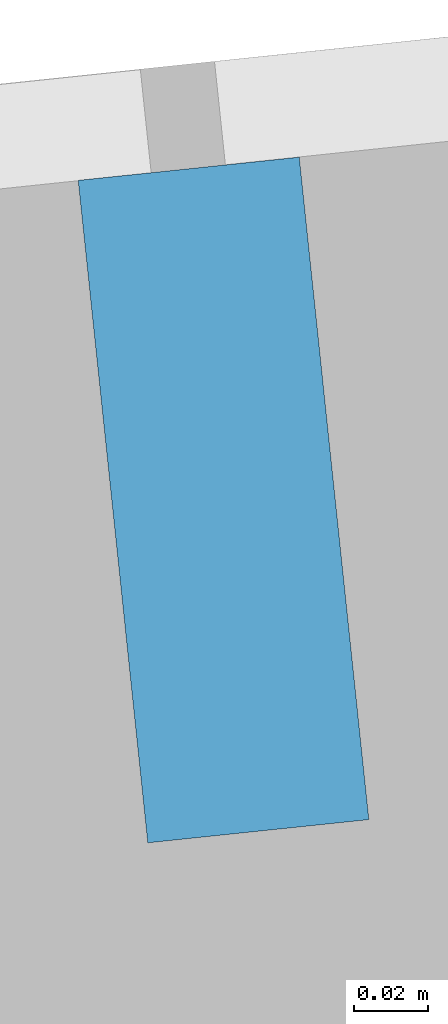
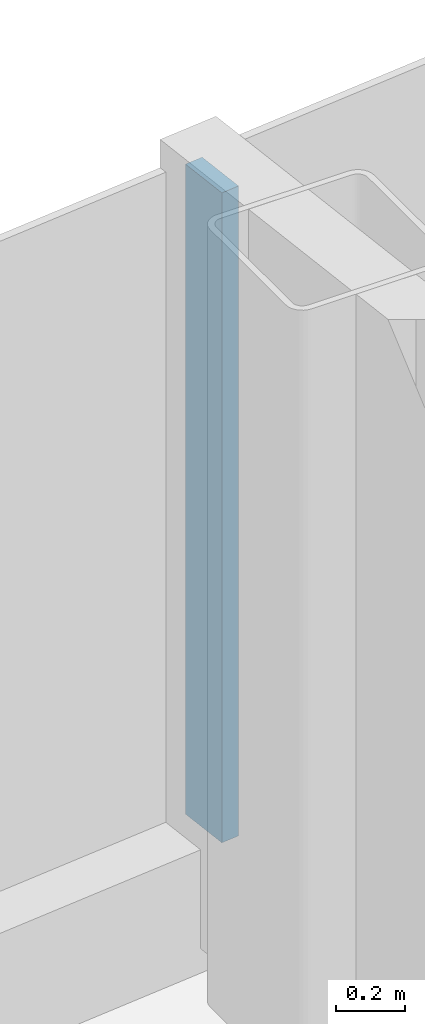
# One storey, part 9 of 27: 1 member, 1 element without a shape of its own.
"""IFC4 building model written with IfcOpenShell, lengths in metres."""

from ifc_helpers import new_model, si_unit, direction, frame, origin, origin_2d, place, context, subcontext, project, spatial, rectangle, extrude, material, layer, layer_set, material_profile, profile_set, type_object, element, aggregate, save


model = new_model("IFC4")

# Units and contexts
model_context = context("Model", 3, precision=1e-05, world=origin(), true_north=direction((0.0, 1.0)))
body_context = subcontext(model_context, "Body", "Model", "MODEL_VIEW")
ifc_project = project(units=[si_unit("LENGTHUNIT", "METRE"), si_unit("AREAUNIT", "SQUARE_METRE"), si_unit("VOLUMEUNIT", "CUBIC_METRE"), si_unit("PLANEANGLEUNIT", "RADIAN"), si_unit("MASSUNIT", "GRAM", prefix="KILO")], contexts=[model_context])

# Site, building, storey
site_placement = place(None, origin())
site = spatial("IfcSite", under=ifc_project, at=site_placement, CompositionType="ELEMENT")
building_placement = place(site_placement, origin())
building = spatial("IfcBuilding", under=site, at=building_placement, Name="Hakoniwa Tower and Hamabe Station Hall", CompositionType="ELEMENT")
storey_placement = place(building_placement, frame((0.0, 0.0, 255.0)))
storey = spatial("IfcBuildingStorey", under=building, at=storey_placement, Name="L72", CompositionType="ELEMENT", Elevation=255.0)

# Curtain wall, member
ifc_material_1 = material(Name="Dark low-e laminated glass", Category="glass")
ifc_layer = layer(ifc_material_1, 0.199951171875)
ifc_layer_set = layer_set([ifc_layer], Name="CW-1 UNITISED GUEST")
curtain_wall_type = type_object("IfcCurtainWallType", Name="CW-1 UNITISED GUEST", PredefinedType="NOTDEFINED", material=ifc_layer_set)
curtain_wall_placement = place(storey_placement, origin())
curtain_wall = element("IfcCurtainWall", 1, at=curtain_wall_placement, inside=storey, type_object=curtain_wall_type, Name="CW-1 curtain wall", PredefinedType="NOTDEFINED")
ifc_material_2 = material(Name="Aluminium 6063-T5 black anodised", Category="aluminium")
ifc_material_profile = material_profile(ifc_material_2, rectangle(XDim=0.06005859375, YDim=0.179931640625, at=origin_2d()), Name="CW-1 MULLION 60X180")
ifc_profile_set = profile_set([ifc_material_profile], Name="Aluminium 6063-T5 black anodised")
member_type = type_object("IfcMemberType", Name="CW-1 MULLION 60X180", PredefinedType="MULLION", material=ifc_profile_set)
member_placement = place(storey_placement, frame((-1.7958984375, 19.587890625, 0.35009765625), z_axis=(0.0, 0.0, 1.0), x_axis=(-0.994521895272, -0.104528464188, 0.0)))
member = element("IfcMember", 2, at=member_placement, type_object=member_type, Name="CW-1 mullion", PredefinedType="MULLION", context=body_context, shape_type="SweptSolid", body=[
    extrude(rectangle(XDim=0.06005859375, YDim=0.179931640625, at=origin_2d()), origin(), (0.0, 0.0, 1.0), 2.2998046875),
])
aggregate(curtain_wall, [member])

save(model, "model.ifc")
